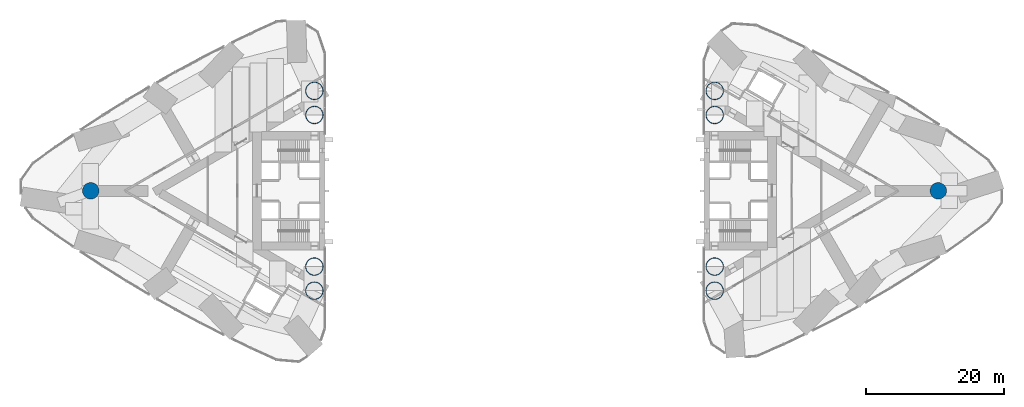
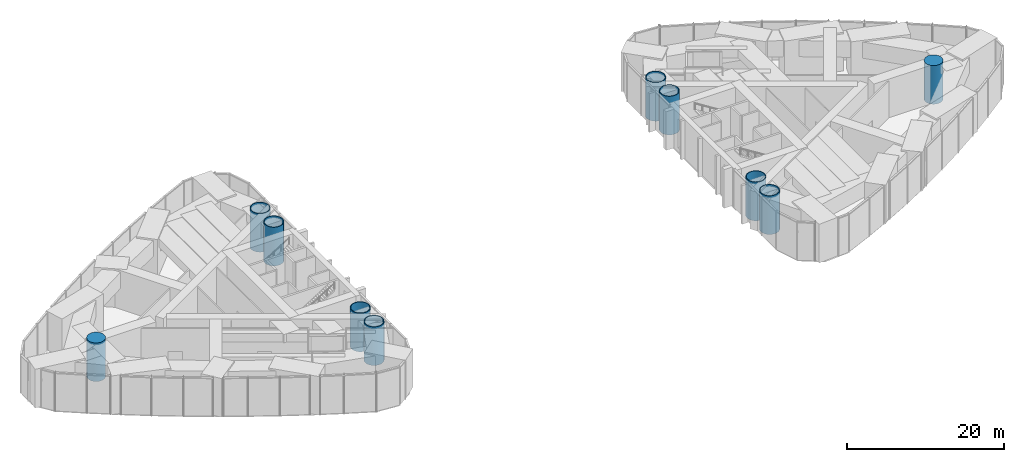
# One storey, part 1 of 16: 10 columns.
"""IFC4 building model written with IfcOpenShell, lengths in metres."""

from ifc_helpers import new_model, si_unit, direction, frame, origin, origin_2d, place, context, subcontext, project, spatial, circle, hollow_circle, extrude, material, material_profile, profile_set, type_object, element, save


model = new_model("IFC4")

# Units and contexts
model_context = context("Model", 3, precision=1e-05, world=origin(), true_north=direction((0.0, 1.0)))
body_context = subcontext(model_context, "Body", "Model", "MODEL_VIEW")
ifc_project = project(units=[si_unit("LENGTHUNIT", "METRE"), si_unit("AREAUNIT", "SQUARE_METRE"), si_unit("VOLUMEUNIT", "CUBIC_METRE"), si_unit("PLANEANGLEUNIT", "RADIAN"), si_unit("MASSUNIT", "GRAM", prefix="KILO")], contexts=[model_context])

# Site, building, storey
site_placement = place(None, origin())
site = spatial("IfcSite", under=ifc_project, at=site_placement, CompositionType="ELEMENT")
building_placement = place(site_placement, origin())
building = spatial("IfcBuilding", under=site, at=building_placement, Name="Lancet Gate Hotel", CompositionType="ELEMENT")
storey_placement = place(building_placement, frame((0.0, 0.0, 146.699951171875)))
storey = spatial("IfcBuildingStorey", under=building, at=storey_placement, Name="L39", CompositionType="ELEMENT", Elevation=146.699951171875)

# Columns
ifc_material_1 = material(Name="Concrete C80/95", Category="concrete")
ifc_material_profile_1 = material_profile(ifc_material_1, circle(Radius=1.199951171875, at=origin_2d()), Name="RC D2400")
ifc_profile_set_1 = profile_set([ifc_material_profile_1], Name="Concrete C80/95")
column_type_1 = type_object("IfcColumnType", Name="Apex column RC D2400", PredefinedType="COLUMN", material=ifc_profile_set_1)
for number, where, z_axis, x_axis, name in (
    (1, (-61.5, 0.0, 0.0), (0.0, 0.0, 1.0), (1.0, 0.0, 0.0), "T1 column AX L39"),
    (2, (61.5, 0.0, 0.0), (0.0, 0.0, 1.0), (1.0, 0.0, 0.0), "T2 column AX L39"),
):
    element("IfcColumn", number, at=place(storey_placement, frame(where, z_axis=z_axis, x_axis=x_axis)), inside=storey, type_object=column_type_1, Name=name, PredefinedType="COLUMN", context=body_context, shape_type="SweptSolid", body=[
        extrude(circle(Radius=1.199951171875, at=origin_2d()), origin(), (0.0, 0.0, 1.0), 6.0),
    ])
ifc_material_2 = material(Name="Composite filled tube, grade 460 plate, grade 80/95 fill", Category="composite")
ifc_material_profile_2 = material_profile(ifc_material_2, hollow_circle(Radius=1.300048828125, WallThickness=0.10009765625, at=origin_2d()), Name="CHS 2600x100")
ifc_profile_set_2 = profile_set([ifc_material_profile_2], Name="Composite filled tube, grade 460 plate, grade 80/95 fill")
column_type_2 = type_object("IfcColumnType", Name="Perimeter column CFT CHS 2600x100", PredefinedType="COLUMN", material=ifc_profile_set_2)
for number, where, z_axis, x_axis, name in (
    (3, (-29.050048828125, -11.0, 0.0), (0.0, 0.0, 1.0), (1.0, 0.0, 0.0), "T1 column IN L39"),
    (4, (-29.050048828125, 11.0, 0.0), (0.0, 0.0, 1.0), (1.0, 0.0, 0.0), "T1 column IS L39"),
    (5, (-29.050048828125, 14.5, 0.0), (0.0, 0.0, 1.0), (1.0, 0.0, 0.0), "T1 column IT L39"),
    (6, (-29.050048828125, -14.5, 0.0), (0.0, 0.0, 1.0), (1.0, 0.0, 0.0), "T1 column JT L39"),
    (7, (29.050048828125, 11.0, 0.0), (0.0, 0.0, 1.0), (1.0, 0.0, 0.0), "T2 column IN L39"),
    (8, (29.050048828125, -11.0, 0.0), (0.0, 0.0, 1.0), (1.0, 0.0, 0.0), "T2 column IS L39"),
    (9, (29.050048828125, -14.5, 0.0), (0.0, 0.0, 1.0), (1.0, 0.0, 0.0), "T2 column IT L39"),
    (10, (29.050048828125, 14.5, 0.0), (0.0, 0.0, 1.0), (1.0, 0.0, 0.0), "T2 column JT L39"),
):
    element("IfcColumn", number, at=place(storey_placement, frame(where, z_axis=z_axis, x_axis=x_axis)), inside=storey, type_object=column_type_2, Name=name, PredefinedType="COLUMN", context=body_context, shape_type="SweptSolid", body=[
        extrude(hollow_circle(Radius=1.300048828125, WallThickness=0.10009765625, at=origin_2d()), origin(), (0.0, 0.0, 1.0), 6.0),
    ])

save(model, "model.ifc")
